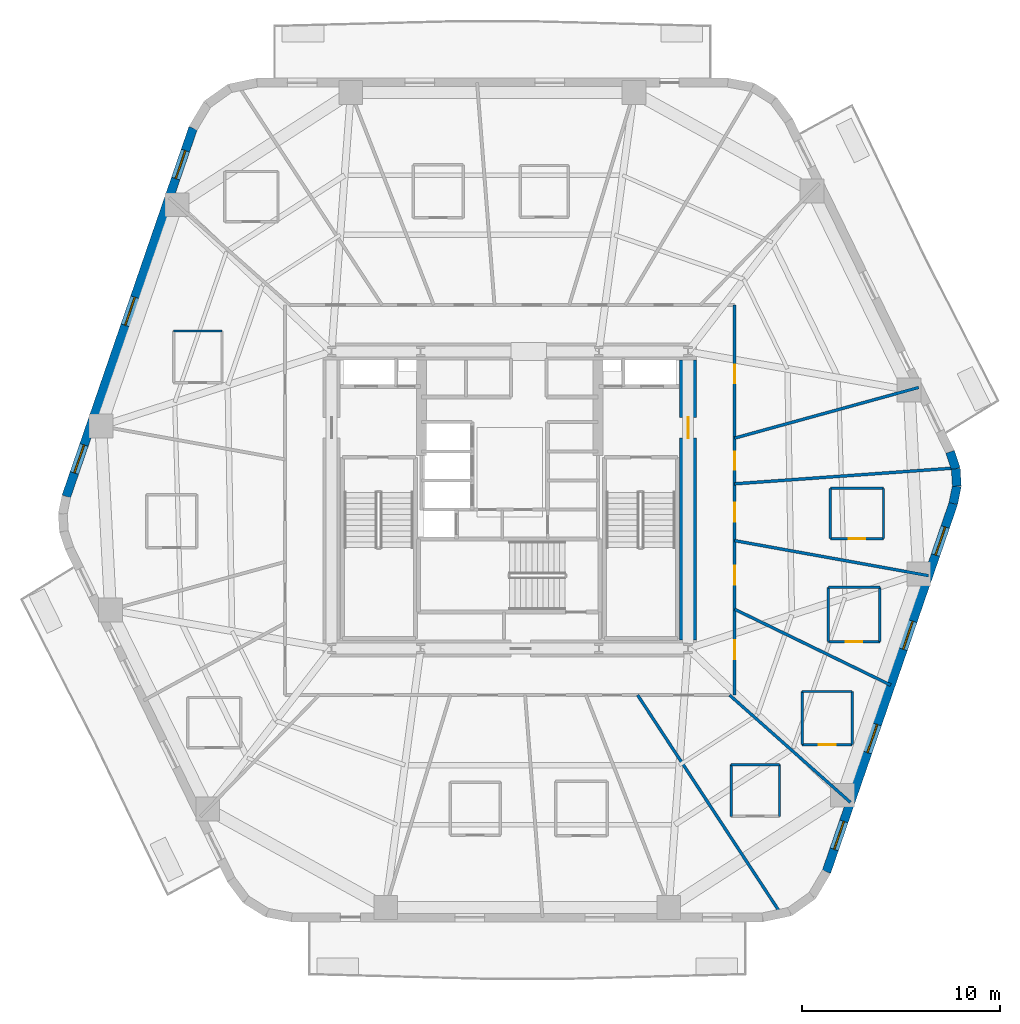
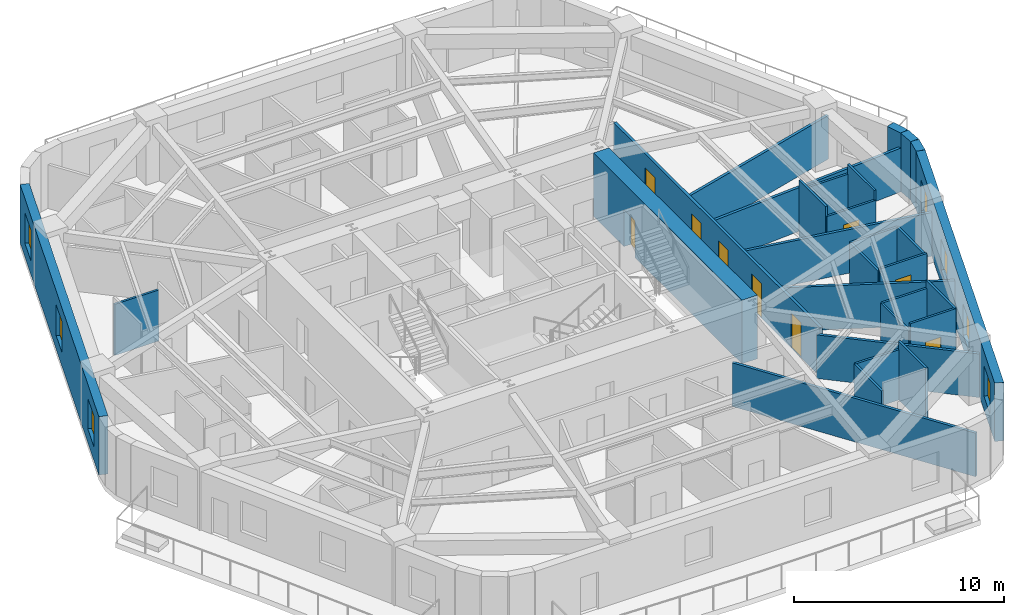
# One storey, part 5 of 10: 29 walls, 9 doors, 7 windows, 16 openings.
"""IFC4 building model written with IfcOpenShell, lengths in metres."""

from ifc_helpers import new_model, si_unit, direction, frame, frame_2d, origin, place, context, subcontext, project, spatial, rectangle, extrude, material, layer, layer_set, type_object, element, fill, save


model = new_model("IFC4")

# Units and contexts
model_context = context("Model", 3, precision=1e-05, world=origin(), true_north=direction((0.0, 1.0)))
body_context = subcontext(model_context, "Body", "Model", "MODEL_VIEW")
ifc_project = project(units=[si_unit("LENGTHUNIT", "METRE"), si_unit("AREAUNIT", "SQUARE_METRE"), si_unit("VOLUMEUNIT", "CUBIC_METRE"), si_unit("PLANEANGLEUNIT", "RADIAN"), si_unit("MASSUNIT", "GRAM", prefix="KILO")], contexts=[model_context])

# Site, building, storey
site_placement = place(None, origin())
site = spatial("IfcSite", under=ifc_project, at=site_placement, CompositionType="ELEMENT")
building_placement = place(site_placement, origin())
building = spatial("IfcBuilding", under=site, at=building_placement, Name="Kilnhurst Terrace Hotel", CompositionType="ELEMENT")
storey_placement = place(building_placement, frame((0.0, 0.0, 91.39990234375)))
storey = spatial("IfcBuildingStorey", under=building, at=storey_placement, Name="L21", CompositionType="ELEMENT", Elevation=91.39990234375)

# Walls
ifc_material_1 = material(Name="Precast concrete C40/50", Category="concrete")
ifc_layer_1 = layer(ifc_material_1, 0.449951171875, Name="Precast concrete C40/50")
ifc_layer_set_1 = layer_set([ifc_layer_1], Name="Precast concrete C40/50")
wall_type_1 = type_object("IfcWallType", Name="WL-BRK-450", PredefinedType="SOLIDWALL", material=ifc_layer_set_1)
wall_1_placement = place(storey_placement, frame((22.39697265625, -0.17919921875, 0.0), z_axis=(0.0, 0.0, 1.0), x_axis=(0.199313589404, 0.979935759669, 0.0)))
element("IfcWall", 1, at=wall_1_placement, inside=storey, type_object=wall_type_1, Name="L21 Rounded Corner Brick Wall C3.1", PredefinedType="SOLIDWALL", context=body_context, shape_type="SweptSolid", body=[
    extrude(rectangle(XDim=0.8955078125, YDim=0.449951171875, at=frame_2d((0.44775390625, 0.0))), origin(), (0.0, 0.0, 1.0), 3.400146484375),
])
wall_2_placement = place(storey_placement, frame((22.575439453125, 0.6982421875, 0.0), z_axis=(0.0, 0.0, 1.0), x_axis=(-0.060980441946, 0.998138961117, 0.0)))
element("IfcWall", 2, at=wall_2_placement, inside=storey, type_object=wall_type_1, Name="L21 Rounded Corner Brick Wall C3.2", PredefinedType="SOLIDWALL", context=body_context, shape_type="SweptSolid", body=[
    extrude(rectangle(XDim=0.880859375, YDim=0.449951171875, at=frame_2d((0.4404296875, 0.0))), origin(), (0.0, 0.0, 1.0), 3.400146484375),
])
wall_3_placement = place(storey_placement, frame((22.521728515625, 1.577392578125, 0.0), z_axis=(0.0, 0.0, 1.0), x_axis=(-0.317372694837, 0.948300887151, 0.0)))
element("IfcWall", 3, at=wall_3_placement, inside=storey, type_object=wall_type_1, Name="L21 Rounded Corner Brick Wall C3.3", PredefinedType="SOLIDWALL", context=body_context, shape_type="SweptSolid", body=[
    extrude(rectangle(XDim=0.8955078125, YDim=0.449951171875, at=frame_2d((0.44775390625, 0.0))), origin(), (0.0, 0.0, 1.0), 3.400146484375),
])

# Wall, openings, windows
wall_4_placement = place(storey_placement, frame((15.992431640625, -18.77685546875, 0.0), z_axis=(0.0, 0.0, 1.0), x_axis=(0.325606988926, 0.945505202927, 0.0)))
wall_4 = element("IfcWall", 4, at=wall_4_placement, inside=storey, type_object=wall_type_1, Name="L21 Exterior Brick Facade Wall F2", PredefinedType="SOLIDWALL", context=body_context, shape_type="SweptSolid", body=[
    extrude(rectangle(XDim=19.66943359375, YDim=0.449951171875, at=frame_2d((9.834716796875, 0.0))), origin(), (0.0, 0.0, 1.0), 3.400146484375),
])
opening_1_placement = place(wall_4_placement, frame((1.197021484375, 0.0, 0.800048828125)))
opening_1 = element("IfcOpeningElement", 5, at=opening_1_placement, cuts=wall_4, Name="Opening W-02", PredefinedType="OPENING", context=body_context, shape_type="SweptSolid", body=[
    extrude(rectangle(XDim=1.5, YDim=1.800048828125, at=frame_2d((0.75, 0.89990234375))), frame((0.0, 0.23486328125, 0.0), z_axis=(0.0, -1.0, 0.0), x_axis=(1.0, 0.0, 0.0)), (0.0, 0.0, 1.0), 0.469970703125),
])
opening_2_placement = place(wall_4_placement, frame((6.367919921875, 0.0, 0.800048828125)))
opening_2 = element("IfcOpeningElement", 6, at=opening_2_placement, cuts=wall_4, Name="Opening W-02", PredefinedType="OPENING", context=body_context, shape_type="SweptSolid", body=[
    extrude(rectangle(XDim=1.5, YDim=1.800048828125, at=frame_2d((0.75, 0.89990234375))), frame((0.0, 0.23486328125, 0.0), z_axis=(0.0, -1.0, 0.0), x_axis=(1.0, 0.0, 0.0)), (0.0, 0.0, 1.0), 0.469970703125),
])
opening_3_placement = place(wall_4_placement, frame((11.885009765625, 0.0, 0.800048828125)))
opening_3 = element("IfcOpeningElement", 7, at=opening_3_placement, cuts=wall_4, Name="Opening W-02", PredefinedType="OPENING", context=body_context, shape_type="SweptSolid", body=[
    extrude(rectangle(XDim=1.5, YDim=1.800048828125, at=frame_2d((0.75, 0.89990234375))), frame((0.0, 0.23486328125, 0.0), z_axis=(0.0, -1.0, 0.0), x_axis=(1.0, 0.0, 0.0)), (0.0, 0.0, 1.0), 0.469970703125),
])
opening_4_placement = place(wall_4_placement, frame((16.91796875, 0.0, 0.800048828125)))
opening_4 = element("IfcOpeningElement", 8, at=opening_4_placement, cuts=wall_4, Name="Opening W-02", PredefinedType="OPENING", context=body_context, shape_type="SweptSolid", body=[
    extrude(rectangle(XDim=1.5, YDim=1.800048828125, at=frame_2d((0.75, 0.89990234375))), frame((0.0, 0.23486328125, 0.0), z_axis=(0.0, -1.0, 0.0), x_axis=(1.0, 0.0, 0.0)), (0.0, 0.0, 1.0), 0.469970703125),
])
ifc_material_2 = material(Name="Thermally Broken Bronze Aluminium Alloy 6063-T6 and Low-E Glass", Category="aluminium")
window_type = type_object("IfcWindowType", Name="WIN-1500X1800", PartitioningType="SINGLE_PANEL", PredefinedType="WINDOW", material=ifc_material_2)
window_1_placement = place(opening_1_placement, origin())
window_1 = element("IfcWindow", 9, at=window_1_placement, inside=storey, type_object=window_type, Name="L21 Deep-Set Masonry Window F2.1", OverallHeight=1.800048828125, OverallWidth=1.5, PartitioningType="SINGLE_PANEL", PredefinedType="WINDOW", context=body_context, shape_type="SweptSolid", body=[
    extrude(rectangle(XDim=1.5, YDim=1.800048828125, at=frame_2d((0.75, 0.89990234375))), frame((0.0, 0.030029296875, 0.0), z_axis=(0.0, -1.0, 0.0), x_axis=(1.0, 0.0, 0.0)), (0.0, 0.0, 1.0), 0.06005859375),
])
fill(opening_1, window_1)
window_2_placement = place(opening_2_placement, origin())
window_2 = element("IfcWindow", 10, at=window_2_placement, inside=storey, type_object=window_type, Name="L21 Deep-Set Masonry Window F2.2", OverallHeight=1.800048828125, OverallWidth=1.5, PartitioningType="SINGLE_PANEL", PredefinedType="WINDOW", context=body_context, shape_type="SweptSolid", body=[
    extrude(rectangle(XDim=1.5, YDim=1.800048828125, at=frame_2d((0.75, 0.89990234375))), frame((0.0, 0.030029296875, 0.0), z_axis=(0.0, -1.0, 0.0), x_axis=(1.0, 0.0, 0.0)), (0.0, 0.0, 1.0), 0.06005859375),
])
fill(opening_2, window_2)
window_3_placement = place(opening_3_placement, origin())
window_3 = element("IfcWindow", 11, at=window_3_placement, inside=storey, type_object=window_type, Name="L21 Deep-Set Masonry Window F2.3", OverallHeight=1.800048828125, OverallWidth=1.5, PartitioningType="SINGLE_PANEL", PredefinedType="WINDOW", context=body_context, shape_type="SweptSolid", body=[
    extrude(rectangle(XDim=1.5, YDim=1.800048828125, at=frame_2d((0.75, 0.89990234375))), frame((0.0, 0.030029296875, 0.0), z_axis=(0.0, -1.0, 0.0), x_axis=(1.0, 0.0, 0.0)), (0.0, 0.0, 1.0), 0.06005859375),
])
fill(opening_3, window_3)
window_4_placement = place(opening_4_placement, origin())
window_4 = element("IfcWindow", 12, at=window_4_placement, inside=storey, type_object=window_type, Name="L21 Deep-Set Masonry Window F2.4", OverallHeight=1.800048828125, OverallWidth=1.5, PartitioningType="SINGLE_PANEL", PredefinedType="WINDOW", context=body_context, shape_type="SweptSolid", body=[
    extrude(rectangle(XDim=1.5, YDim=1.800048828125, at=frame_2d((0.75, 0.89990234375))), frame((0.0, 0.030029296875, 0.0), z_axis=(0.0, -1.0, 0.0), x_axis=(1.0, 0.0, 0.0)), (0.0, 0.0, 1.0), 0.06005859375),
])
fill(opening_4, window_4)

wall_5_placement = place(storey_placement, frame((-15.992431640625, 18.77685546875, 0.0), z_axis=(0.0, 0.0, 1.0), x_axis=(-0.325606988926, -0.945505202927, 0.0)))
wall_5 = element("IfcWall", 13, at=wall_5_placement, inside=storey, type_object=wall_type_1, Name="L21 Exterior Brick Facade Wall F5", PredefinedType="SOLIDWALL", context=body_context, shape_type="SweptSolid", body=[
    extrude(rectangle(XDim=19.66943359375, YDim=0.449951171875, at=frame_2d((9.834716796875, 0.0))), origin(), (0.0, 0.0, 1.0), 3.400146484375),
])
opening_5_placement = place(wall_5_placement, frame((1.197021484375, 0.0, 0.800048828125)))
opening_5 = element("IfcOpeningElement", 14, at=opening_5_placement, cuts=wall_5, Name="Opening W-02", PredefinedType="OPENING", context=body_context, shape_type="SweptSolid", body=[
    extrude(rectangle(XDim=1.5, YDim=1.800048828125, at=frame_2d((0.75, 0.89990234375))), frame((0.0, 0.23486328125, 0.0), z_axis=(0.0, -1.0, 0.0), x_axis=(1.0, 0.0, 0.0)), (0.0, 0.0, 1.0), 0.469970703125),
])
opening_6_placement = place(wall_5_placement, frame((9.030029296875, 0.0, 0.800048828125)))
opening_6 = element("IfcOpeningElement", 15, at=opening_6_placement, cuts=wall_5, Name="Opening W-02", PredefinedType="OPENING", context=body_context, shape_type="SweptSolid", body=[
    extrude(rectangle(XDim=1.5, YDim=1.800048828125, at=frame_2d((0.75, 0.89990234375))), frame((0.0, 0.23486328125, 0.0), z_axis=(0.0, -1.0, 0.0), x_axis=(1.0, 0.0, 0.0)), (0.0, 0.0, 1.0), 0.469970703125),
])
opening_7_placement = place(wall_5_placement, frame((16.91796875, 0.0, 0.800048828125)))
opening_7 = element("IfcOpeningElement", 16, at=opening_7_placement, cuts=wall_5, Name="Opening W-02", PredefinedType="OPENING", context=body_context, shape_type="SweptSolid", body=[
    extrude(rectangle(XDim=1.5, YDim=1.800048828125, at=frame_2d((0.75, 0.89990234375))), frame((0.0, 0.23486328125, 0.0), z_axis=(0.0, -1.0, 0.0), x_axis=(1.0, 0.0, 0.0)), (0.0, 0.0, 1.0), 0.469970703125),
])
window_5_placement = place(opening_5_placement, origin())
window_5 = element("IfcWindow", 17, at=window_5_placement, inside=storey, type_object=window_type, Name="L21 Deep-Set Masonry Window F5.1", OverallHeight=1.800048828125, OverallWidth=1.5, PartitioningType="SINGLE_PANEL", PredefinedType="WINDOW", context=body_context, shape_type="SweptSolid", body=[
    extrude(rectangle(XDim=1.5, YDim=1.800048828125, at=frame_2d((0.75, 0.89990234375))), frame((0.0, 0.030029296875, 0.0), z_axis=(0.0, -1.0, 0.0), x_axis=(1.0, 0.0, 0.0)), (0.0, 0.0, 1.0), 0.06005859375),
])
fill(opening_5, window_5)
window_6_placement = place(opening_6_placement, origin())
window_6 = element("IfcWindow", 18, at=window_6_placement, inside=storey, type_object=window_type, Name="L21 Deep-Set Masonry Window F5.2", OverallHeight=1.800048828125, OverallWidth=1.5, PartitioningType="SINGLE_PANEL", PredefinedType="WINDOW", context=body_context, shape_type="SweptSolid", body=[
    extrude(rectangle(XDim=1.5, YDim=1.800048828125, at=frame_2d((0.75, 0.89990234375))), frame((0.0, 0.030029296875, 0.0), z_axis=(0.0, -1.0, 0.0), x_axis=(1.0, 0.0, 0.0)), (0.0, 0.0, 1.0), 0.06005859375),
])
fill(opening_6, window_6)
window_7_placement = place(opening_7_placement, origin())
window_7 = element("IfcWindow", 19, at=window_7_placement, inside=storey, type_object=window_type, Name="L21 Deep-Set Masonry Window F5.3", OverallHeight=1.800048828125, OverallWidth=1.5, PartitioningType="SINGLE_PANEL", PredefinedType="WINDOW", context=body_context, shape_type="SweptSolid", body=[
    extrude(rectangle(XDim=1.5, YDim=1.800048828125, at=frame_2d((0.75, 0.89990234375))), frame((0.0, 0.030029296875, 0.0), z_axis=(0.0, -1.0, 0.0), x_axis=(1.0, 0.0, 0.0)), (0.0, 0.0, 1.0), 0.06005859375),
])
fill(opening_7, window_7)

# Wall, openings, doors
ifc_material_3 = material(Name="Acoustic Double-Gypsum Corridor Partition Assembly")
ifc_layer_2 = layer(ifc_material_3, 0.14990234375, Name="Acoustic Double-Gypsum Corridor Partition Assembly")
ifc_layer_set_2 = layer_set([ifc_layer_2], Name="Acoustic Double-Gypsum Corridor Partition Assembly")
wall_type_2 = type_object("IfcWallType", Name="WL-COR-150", PredefinedType="PARTITIONING", material=ifc_layer_set_2)
wall_6_placement = place(storey_placement, frame((11.35009765625, 9.85009765625, 0.0), z_axis=(0.0, 0.0, 1.0), x_axis=(0.0, -1.0, 0.0)))
wall_6 = element("IfcWall", 20, at=wall_6_placement, inside=storey, type_object=wall_type_2, Name="L21 Interior Wall WL-L21-COR-03", PredefinedType="PARTITIONING", context=body_context, shape_type="SweptSolid", body=[
    extrude(rectangle(XDim=19.7001953125, YDim=0.14990234375, at=frame_2d((9.85009765625, 0.0))), origin(), (0.0, 0.0, 1.0), 2.840087890625),
])
opening_8_placement = place(wall_6_placement, frame((7.426025390625, 0.0, 0.0)))
opening_8 = element("IfcOpeningElement", 21, at=opening_8_placement, cuts=wall_6, Name="Opening D-60C", PredefinedType="OPENING", context=body_context, shape_type="SweptSolid", body=[
    extrude(rectangle(XDim=0.89990234375, YDim=2.030029296875, at=frame_2d((0.449951171875, 1.01513671875))), frame((0.0, 0.0849609375, 0.0), z_axis=(0.0, -1.0, 0.0), x_axis=(1.0, 0.0, 0.0)), (0.0, 0.0, 1.0), 0.169921875),
])
opening_9_placement = place(wall_6_placement, frame((3.008056640625, 0.0, 0.0)))
opening_9 = element("IfcOpeningElement", 22, at=opening_9_placement, cuts=wall_6, Name="Opening D-60B", PredefinedType="OPENING", context=body_context, shape_type="SweptSolid", body=[
    extrude(rectangle(XDim=0.949951171875, YDim=2.030029296875, at=frame_2d((0.47509765625, 1.01513671875))), frame((0.0, 0.0849609375, 0.0), z_axis=(0.0, -1.0, 0.0), x_axis=(1.0, 0.0, 0.0)), (0.0, 0.0, 1.0), 0.169921875),
])
opening_10_placement = place(wall_6_placement, frame((16.93798828125, 0.0, 0.0)))
opening_10 = element("IfcOpeningElement", 23, at=opening_10_placement, cuts=wall_6, Name="Opening D-60B", PredefinedType="OPENING", context=body_context, shape_type="SweptSolid", body=[
    extrude(rectangle(XDim=0.949951171875, YDim=2.030029296875, at=frame_2d((0.47509765625, 1.01513671875))), frame((0.0, 0.0849609375, 0.0), z_axis=(0.0, -1.0, 0.0), x_axis=(1.0, 0.0, 0.0)), (0.0, 0.0, 1.0), 0.169921875),
])
opening_11_placement = place(wall_6_placement, frame((13.1708984375, 0.0, 0.0)))
opening_11 = element("IfcOpeningElement", 24, at=opening_11_placement, cuts=wall_6, Name="Opening D-60B", PredefinedType="OPENING", context=body_context, shape_type="SweptSolid", body=[
    extrude(rectangle(XDim=0.949951171875, YDim=2.030029296875, at=frame_2d((0.47509765625, 1.01513671875))), frame((0.0, 0.0849609375, 0.0), z_axis=(0.0, -1.0, 0.0), x_axis=(1.0, 0.0, 0.0)), (0.0, 0.0, 1.0), 0.169921875),
])
opening_12_placement = place(wall_6_placement, frame((9.993896484375, 0.0, 0.0)))
opening_12 = element("IfcOpeningElement", 25, at=opening_12_placement, cuts=wall_6, Name="Opening D-60B", PredefinedType="OPENING", context=body_context, shape_type="SweptSolid", body=[
    extrude(rectangle(XDim=0.949951171875, YDim=2.030029296875, at=frame_2d((0.47509765625, 1.01513671875))), frame((0.0, 0.0849609375, 0.0), z_axis=(0.0, -1.0, 0.0), x_axis=(1.0, 0.0, 0.0)), (0.0, 0.0, 1.0), 0.169921875),
])
ifc_material_4 = material(Name="Painted Solid-Core Service Fire Door")
door_type_1 = type_object("IfcDoorType", Name="DR-FD60-900", OperationType="NOTDEFINED", PredefinedType="DOOR", material=ifc_material_4)
door_1_placement = place(opening_8_placement, origin())
door_1 = element("IfcDoor", 26, at=door_1_placement, inside=storey, type_object=door_type_1, Name="L21 Private Study Salon Door 1", OperationType="SINGLE_SWING_LEFT", OverallHeight=2.030029296875, OverallWidth=0.89990234375, PredefinedType="DOOR", context=body_context, shape_type="SweptSolid", body=[
    extrude(rectangle(XDim=0.89990234375, YDim=2.030029296875, at=frame_2d((0.449951171875, 1.01513671875))), frame((0.0, 0.02490234375, 0.0), z_axis=(0.0, -1.0, 0.0), x_axis=(1.0, 0.0, 0.0)), (0.0, 0.0, 1.0), 0.050048828125),
])
fill(opening_8, door_1)
ifc_material_5 = material(Name="Acoustic Walnut Veneer Solid-Core Fire Door")
door_type_2 = type_object("IfcDoorType", Name="DR-FD60-950", OperationType="NOTDEFINED", PredefinedType="DOOR", material=ifc_material_5)
door_2_placement = place(opening_9_placement, origin())
door_2 = element("IfcDoor", 27, at=door_2_placement, inside=storey, type_object=door_type_2, Name="L21 Botanical Salon Lounge Door", OperationType="SINGLE_SWING_RIGHT", OverallHeight=2.030029296875, OverallWidth=0.949951171875, PredefinedType="DOOR", context=body_context, shape_type="SweptSolid", body=[
    extrude(rectangle(XDim=0.949951171875, YDim=2.030029296875, at=frame_2d((0.47509765625, 1.01513671875))), frame((0.0, 0.02490234375, 0.0), z_axis=(0.0, -1.0, 0.0), x_axis=(1.0, 0.0, 0.0)), (0.0, 0.0, 1.0), 0.050048828125),
])
fill(opening_9, door_2)
door_3_placement = place(opening_10_placement, origin())
door_3 = element("IfcDoor", 28, at=door_3_placement, inside=storey, type_object=door_type_2, Name="L21 Guest Room Entry Door 18", OperationType="SINGLE_SWING_RIGHT", OverallHeight=2.030029296875, OverallWidth=0.949951171875, PredefinedType="DOOR", context=body_context, shape_type="SweptSolid", body=[
    extrude(rectangle(XDim=0.949951171875, YDim=2.030029296875, at=frame_2d((0.47509765625, 1.01513671875))), frame((0.0, 0.02490234375, 0.0), z_axis=(0.0, -1.0, 0.0), x_axis=(1.0, 0.0, 0.0)), (0.0, 0.0, 1.0), 0.050048828125),
])
fill(opening_10, door_3)
door_4_placement = place(opening_11_placement, origin())
door_4 = element("IfcDoor", 29, at=door_4_placement, inside=storey, type_object=door_type_2, Name="L21 Guest Room Entry Door 19", OperationType="SINGLE_SWING_LEFT", OverallHeight=2.030029296875, OverallWidth=0.949951171875, PredefinedType="DOOR", context=body_context, shape_type="SweptSolid", body=[
    extrude(rectangle(XDim=0.949951171875, YDim=2.030029296875, at=frame_2d((0.47509765625, 1.01513671875))), frame((0.0, 0.02490234375, 0.0), z_axis=(0.0, -1.0, 0.0), x_axis=(1.0, 0.0, 0.0)), (0.0, 0.0, 1.0), 0.050048828125),
])
fill(opening_11, door_4)
door_5_placement = place(opening_12_placement, origin())
door_5 = element("IfcDoor", 30, at=door_5_placement, inside=storey, type_object=door_type_2, Name="L21 Guest Room Entry Door 20", OperationType="SINGLE_SWING_RIGHT", OverallHeight=2.030029296875, OverallWidth=0.949951171875, PredefinedType="DOOR", context=body_context, shape_type="SweptSolid", body=[
    extrude(rectangle(XDim=0.949951171875, YDim=2.030029296875, at=frame_2d((0.47509765625, 1.01513671875))), frame((0.0, 0.02490234375, 0.0), z_axis=(0.0, -1.0, 0.0), x_axis=(1.0, 0.0, 0.0)), (0.0, 0.0, 1.0), 0.050048828125),
])
fill(opening_12, door_5)

# Wall, opening, door
ifc_material_6 = material(Name="Concrete C80/95", Category="concrete")
ifc_layer_3 = layer(ifc_material_6, 0.85009765625, Name="Concrete C80/95")
ifc_layer_set_3 = layer_set([ifc_layer_3], Name="Concrete C80/95")
wall_type_3 = type_object("IfcWallType", Name="WL-CORE-850", PredefinedType="SHEAR", material=ifc_layer_set_3)
wall_7_placement = place(storey_placement, frame((9.0, -7.074951171875, 0.0), z_axis=(0.0, 0.0, 1.0), x_axis=(0.0, 1.0, 0.0)))
wall_7 = element("IfcWall", 31, at=wall_7_placement, inside=storey, type_object=wall_type_3, Name="L21 Core East Shear Wall", PredefinedType="SHEAR", context=body_context, shape_type="SweptSolid", body=[
    extrude(rectangle(XDim=14.14990234375, YDim=0.85009765625, at=frame_2d((7.074951171875, 0.0))), origin(), (0.0, 0.0, 1.0), 3.7001953125),
])
opening_13_placement = place(wall_7_placement, frame((10.199951171875, 0.0, 0.0)))
opening_13 = element("IfcOpeningElement", 32, at=opening_13_placement, cuts=wall_7, Name="Opening D-90A", PredefinedType="OPENING", context=body_context, shape_type="SweptSolid", body=[
    extrude(rectangle(XDim=1.050048828125, YDim=2.14990234375, at=frame_2d((0.52490234375, 1.074951171875))), frame((0.0, 0.43505859375, 0.0), z_axis=(0.0, -1.0, 0.0), x_axis=(1.0, 0.0, 0.0)), (0.0, 0.0, 1.0), 0.8701171875),
])
ifc_material_7 = material(Name="Painted Hollow Metal Steel ASTM A36 Fire Door", Category="steel")
door_type_3 = type_object("IfcDoorType", Name="DR-FD90-1050", OperationType="NOTDEFINED", PredefinedType="DOOR", material=ifc_material_7)
door_6_placement = place(opening_13_placement, origin())
door_6 = element("IfcDoor", 33, at=door_6_placement, inside=storey, type_object=door_type_3, Name="L21 East Firefighting Lobby Door", OperationType="SINGLE_SWING_LEFT", OverallHeight=2.14990234375, OverallWidth=1.050048828125, PredefinedType="DOOR", context=body_context, shape_type="SweptSolid", body=[
    extrude(rectangle(XDim=1.050048828125, YDim=2.14990234375, at=frame_2d((0.52490234375, 1.074951171875))), frame((0.0, 0.02490234375, 0.0), z_axis=(0.0, -1.0, 0.0), x_axis=(1.0, 0.0, 0.0)), (0.0, 0.0, 1.0), 0.050048828125),
])
fill(opening_13, door_6)

# Walls
ifc_material_8 = material(Name="STC-58 Acoustic Twin-Frame Guestroom Demising Partition")
ifc_layer_4 = layer(ifc_material_8, 0.14990234375, Name="STC-58 Acoustic Twin-Frame Guestroom Demising Partition")
ifc_layer_set_4 = layer_set([ifc_layer_4], Name="STC-58 Acoustic Twin-Frame Guestroom Demising Partition")
wall_type_4 = type_object("IfcWallType", Name="WL-DEM-150", PredefinedType="PARTITIONING", material=ifc_layer_set_4)
wall_8_placement = place(storey_placement, frame((11.35009765625, 0.815673828125, 0.0), z_axis=(0.0, 0.0, 1.0), x_axis=(0.997427684746, 0.071679939324, 0.0)))
element("IfcWall", 34, at=wall_8_placement, inside=storey, type_object=wall_type_4, Name="L21 Interior Wall WL-L21-DEM-MID12-01-1", PredefinedType="PARTITIONING", context=body_context, shape_type="SweptSolid", body=[
    extrude(rectangle(XDim=11.021728515625, YDim=0.14990234375, at=frame_2d((5.5107421875, 0.0))), origin(), (0.0, 0.0, 1.0), 2.5400390625),
])
wall_9_placement = place(storey_placement, frame((11.35009765625, 3.123291015625, 0.0), z_axis=(0.0, 0.0, 1.0), x_axis=(0.964151983214, 0.265350623261, 0.0)))
element("IfcWall", 35, at=wall_9_placement, inside=storey, type_object=wall_type_4, Name="L21 Interior Wall WL-L21-DEM-COL01-02-1", PredefinedType="PARTITIONING", context=body_context, shape_type="SweptSolid", body=[
    extrude(rectangle(XDim=9.64501953125, YDim=0.14990234375, at=frame_2d((4.822509765625, 0.0))), origin(), (0.0, 0.0, 1.0), 2.5400390625),
])
wall_10_placement = place(storey_placement, frame((6.453857421875, -9.85009765625, 0.0), z_axis=(0.0, 0.0, 1.0), x_axis=(0.548052950111, -0.836443640584, 0.0)))
element("IfcWall", 36, at=wall_10_placement, inside=storey, type_object=wall_type_4, Name="L21 Interior Wall WL-L21-DEM-MID10-17-1", PredefinedType="PARTITIONING", context=body_context, shape_type="SweptSolid", body=[
    extrude(rectangle(XDim=13.019287109375, YDim=0.14990234375, at=frame_2d((6.509765625, 0.0))), origin(), (0.0, 0.0, 1.0), 2.5400390625),
])
wall_11_placement = place(storey_placement, frame((11.097900390625, -9.85009765625, 0.0), z_axis=(0.0, 0.0, 1.0), x_axis=(0.747904295103, -0.663806572253, 0.0)))
element("IfcWall", 37, at=wall_11_placement, inside=storey, type_object=wall_type_4, Name="L21 Interior Wall WL-L21-DEM-COL11-18-1", PredefinedType="PARTITIONING", context=body_context, shape_type="SweptSolid", body=[
    extrude(rectangle(XDim=8.160400390625, YDim=0.14990234375, at=frame_2d((4.080078125, 0.0))), origin(), (0.0, 0.0, 1.0), 2.5400390625),
])
wall_12_placement = place(storey_placement, frame((11.35009765625, -5.51513671875, 0.0), z_axis=(0.0, 0.0, 1.0), x_axis=(0.899424695618, -0.437075756492, 0.0)))
element("IfcWall", 38, at=wall_12_placement, inside=storey, type_object=wall_type_4, Name="L21 Interior Wall WL-L21-DEM-MID11-19-1", PredefinedType="PARTITIONING", context=body_context, shape_type="SweptSolid", body=[
    extrude(rectangle(XDim=8.771240234375, YDim=0.14990234375, at=frame_2d((4.3857421875, 0.0))), origin(), (0.0, 0.0, 1.0), 2.5400390625),
])
wall_13_placement = place(storey_placement, frame((11.35009765625, -2.05078125, 0.0), z_axis=(0.0, 0.0, 1.0), x_axis=(0.984068313063, -0.177790762484, 0.0)))
element("IfcWall", 39, at=wall_13_placement, inside=storey, type_object=wall_type_4, Name="L21 Interior Wall WL-L21-DEM-COL12-20-1", PredefinedType="PARTITIONING", context=body_context, shape_type="SweptSolid", body=[
    extrude(rectangle(XDim=9.951416015625, YDim=0.14990234375, at=frame_2d((4.9755859375, 0.0))), origin(), (0.0, 0.0, 1.0), 2.5400390625),
])
ifc_material_9 = material(Name="120 mm Moisture-Resistant Tile-Backed Bathroom Partition")
ifc_layer_5 = layer(ifc_material_9, 0.1201171875, Name="120 mm Moisture-Resistant Tile-Backed Bathroom Partition")
ifc_layer_set_5 = layer_set([ifc_layer_5], Name="120 mm Moisture-Resistant Tile-Backed Bathroom Partition")
wall_type_5 = type_object("IfcWallType", Name="WL-PART-120", PredefinedType="PARTITIONING", material=ifc_layer_set_5)
wall_14_placement = place(storey_placement, frame((-14.533935546875, 8.534912109375, 0.0), z_axis=(0.0, 0.0, 1.0), x_axis=(-1.0, 0.0, 0.0)))
element("IfcWall", 40, at=wall_14_placement, inside=storey, type_object=wall_type_5, Name="L21 Interior Wall WL-L21-BTH-09-3", PredefinedType="PARTITIONING", context=body_context, shape_type="SweptSolid", body=[
    extrude(rectangle(XDim=2.440185546875, YDim=0.1201171875, at=frame_2d((1.22021484375, 0.0))), origin(), (0.0, 0.0, 1.0), 2.972412109375),
])
wall_15_placement = place(storey_placement, frame((13.617919921875, -15.97412109375, 0.0), z_axis=(0.0, 0.0, 1.0), x_axis=(0.0, 1.0, 0.0)))
element("IfcWall", 41, at=wall_15_placement, inside=storey, type_object=wall_type_5, Name="L21 Interior Wall WL-L21-BTH-17-2", PredefinedType="PARTITIONING", context=body_context, shape_type="SweptSolid", body=[
    extrude(rectangle(XDim=2.610107421875, YDim=0.1201171875, at=frame_2d((1.30517578125, 0.0))), origin(), (0.0, 0.0, 1.0), 3.400146484375),
])
wall_16_placement = place(storey_placement, frame((13.617919921875, -13.364013671875, 0.0), z_axis=(0.0, 0.0, 1.0), x_axis=(-1.0, 0.0, 0.0)))
element("IfcWall", 42, at=wall_16_placement, inside=storey, type_object=wall_type_5, Name="L21 Interior Wall WL-L21-BTH-17-3", PredefinedType="PARTITIONING", context=body_context, shape_type="SweptSolid", body=[
    extrude(rectangle(XDim=2.43994140625, YDim=0.1201171875, at=frame_2d((1.219970703125, 0.0))), origin(), (0.0, 0.0, 1.0), 2.926513671875),
])
wall_17_placement = place(storey_placement, frame((11.177978515625, -13.364013671875, 0.0), z_axis=(0.0, 0.0, 1.0), x_axis=(0.0, -1.0, 0.0)))
element("IfcWall", 43, at=wall_17_placement, inside=storey, type_object=wall_type_5, Name="L21 Interior Wall WL-L21-BTH-17-4", PredefinedType="PARTITIONING", context=body_context, shape_type="SweptSolid", body=[
    extrude(rectangle(XDim=2.610107421875, YDim=0.1201171875, at=frame_2d((1.30517578125, 0.0))), origin(), (0.0, 0.0, 1.0), 2.926513671875),
])

# Wall, opening, door
wall_18_placement = place(storey_placement, frame((14.76708984375, -12.35205078125, 0.0), z_axis=(0.0, 0.0, 1.0), x_axis=(1.0, 0.0, 0.0)))
wall_18 = element("IfcWall", 44, at=wall_18_placement, inside=storey, type_object=wall_type_5, Name="L21 Interior Wall WL-L21-BTH-18-1", PredefinedType="PARTITIONING", context=body_context, shape_type="SweptSolid", body=[
    extrude(rectangle(XDim=2.52001953125, YDim=0.1201171875, at=frame_2d((1.260009765625, 0.0))), origin(), (0.0, 0.0, 1.0), 3.400146484375),
])
opening_14_placement = place(wall_18_placement, frame((0.8349609375, 0.0, 0.0)))
opening_14 = element("IfcOpeningElement", 45, at=opening_14_placement, cuts=wall_18, Name="Opening D-08A", PredefinedType="OPENING", context=body_context, shape_type="SweptSolid", body=[
    extrude(rectangle(XDim=0.85009765625, YDim=2.030029296875, at=frame_2d((0.425048828125, 1.01513671875))), frame((0.0, 0.070068359375, 0.0), z_axis=(0.0, -1.0, 0.0), x_axis=(1.0, 0.0, 0.0)), (0.0, 0.0, 1.0), 0.14013671875),
])
ifc_material_10 = material(Name="Moisture-Resistant Lacquered En-suite Bathroom Door")
door_type_4 = type_object("IfcDoorType", Name="DR-INT-850", OperationType="NOTDEFINED", PredefinedType="DOOR", material=ifc_material_10)
door_7_placement = place(opening_14_placement, origin())
door_7 = element("IfcDoor", 46, at=door_7_placement, inside=storey, type_object=door_type_4, Name="L21 En-suite Bathroom Door 18", OperationType="SINGLE_SWING_LEFT", OverallHeight=2.030029296875, OverallWidth=0.85009765625, PredefinedType="DOOR", context=body_context, shape_type="SweptSolid", body=[
    extrude(rectangle(XDim=0.85009765625, YDim=2.030029296875, at=frame_2d((0.425048828125, 1.01513671875))), frame((0.0, 0.02490234375, 0.0), z_axis=(0.0, -1.0, 0.0), x_axis=(1.0, 0.0, 0.0)), (0.0, 0.0, 1.0), 0.050048828125),
])
fill(opening_14, door_7)

# Walls
wall_19_placement = place(storey_placement, frame((17.287109375, -12.35205078125, 0.0), z_axis=(0.0, 0.0, 1.0), x_axis=(0.0, 1.0, 0.0)))
element("IfcWall", 47, at=wall_19_placement, inside=storey, type_object=wall_type_5, Name="L21 Interior Wall WL-L21-BTH-18-2", PredefinedType="PARTITIONING", context=body_context, shape_type="SweptSolid", body=[
    extrude(rectangle(XDim=2.679931640625, YDim=0.1201171875, at=frame_2d((1.33984375, 0.0))), origin(), (0.0, 0.0, 1.0), 3.400146484375),
])
wall_20_placement = place(storey_placement, frame((17.287109375, -9.672119140625, 0.0), z_axis=(0.0, 0.0, 1.0), x_axis=(-1.0, 0.0, 0.0)))
element("IfcWall", 48, at=wall_20_placement, inside=storey, type_object=wall_type_5, Name="L21 Interior Wall WL-L21-BTH-18-3", PredefinedType="PARTITIONING", context=body_context, shape_type="SweptSolid", body=[
    extrude(rectangle(XDim=2.52001953125, YDim=0.1201171875, at=frame_2d((1.260009765625, 0.0))), origin(), (0.0, 0.0, 1.0), 2.972412109375),
])
wall_21_placement = place(storey_placement, frame((14.76708984375, -9.672119140625, 0.0), z_axis=(0.0, 0.0, 1.0), x_axis=(0.0, -1.0, 0.0)))
element("IfcWall", 49, at=wall_21_placement, inside=storey, type_object=wall_type_5, Name="L21 Interior Wall WL-L21-BTH-18-4", PredefinedType="PARTITIONING", context=body_context, shape_type="SweptSolid", body=[
    extrude(rectangle(XDim=2.679931640625, YDim=0.1201171875, at=frame_2d((1.33984375, 0.0))), origin(), (0.0, 0.0, 1.0), 2.972412109375),
])

# Wall, opening, door
wall_22_placement = place(storey_placement, frame((16.0869140625, -7.157958984375, 0.0), z_axis=(0.0, 0.0, 1.0), x_axis=(1.0, 0.0, 0.0)))
wall_22 = element("IfcWall", 50, at=wall_22_placement, inside=storey, type_object=wall_type_5, Name="L21 Interior Wall WL-L21-BTH-19-1", PredefinedType="PARTITIONING", context=body_context, shape_type="SweptSolid", body=[
    extrude(rectangle(XDim=2.60009765625, YDim=0.1201171875, at=frame_2d((1.300048828125, 0.0))), origin(), (0.0, 0.0, 1.0), 2.972412109375),
])
opening_15_placement = place(wall_22_placement, frame((0.875, 0.0, 0.0)))
opening_15 = element("IfcOpeningElement", 51, at=opening_15_placement, cuts=wall_22, Name="Opening D-08A", PredefinedType="OPENING", context=body_context, shape_type="SweptSolid", body=[
    extrude(rectangle(XDim=0.85009765625, YDim=2.030029296875, at=frame_2d((0.425048828125, 1.01513671875))), frame((0.0, 0.070068359375, 0.0), z_axis=(0.0, -1.0, 0.0), x_axis=(1.0, 0.0, 0.0)), (0.0, 0.0, 1.0), 0.14013671875),
])
door_8_placement = place(opening_15_placement, origin())
door_8 = element("IfcDoor", 52, at=door_8_placement, inside=storey, type_object=door_type_4, Name="L21 En-suite Bathroom Door 19", OperationType="SINGLE_SWING_RIGHT", OverallHeight=2.030029296875, OverallWidth=0.85009765625, PredefinedType="DOOR", context=body_context, shape_type="SweptSolid", body=[
    extrude(rectangle(XDim=0.85009765625, YDim=2.030029296875, at=frame_2d((0.425048828125, 1.01513671875))), frame((0.0, 0.02490234375, 0.0), z_axis=(0.0, -1.0, 0.0), x_axis=(1.0, 0.0, 0.0)), (0.0, 0.0, 1.0), 0.050048828125),
])
fill(opening_15, door_8)

# Walls
wall_23_placement = place(storey_placement, frame((18.68701171875, -7.157958984375, 0.0), z_axis=(0.0, 0.0, 1.0), x_axis=(0.0, 1.0, 0.0)))
element("IfcWall", 53, at=wall_23_placement, inside=storey, type_object=wall_type_5, Name="L21 Interior Wall WL-L21-BTH-19-2", PredefinedType="PARTITIONING", context=body_context, shape_type="SweptSolid", body=[
    extrude(rectangle(XDim=2.75, YDim=0.1201171875, at=frame_2d((1.375, 0.0))), origin(), (0.0, 0.0, 1.0), 2.840087890625),
])
wall_24_placement = place(storey_placement, frame((18.68701171875, -4.407958984375, 0.0), z_axis=(0.0, 0.0, 1.0), x_axis=(-1.0, 0.0, 0.0)))
element("IfcWall", 54, at=wall_24_placement, inside=storey, type_object=wall_type_5, Name="L21 Interior Wall WL-L21-BTH-19-3", PredefinedType="PARTITIONING", context=body_context, shape_type="SweptSolid", body=[
    extrude(rectangle(XDim=2.60009765625, YDim=0.1201171875, at=frame_2d((1.300048828125, 0.0))), origin(), (0.0, 0.0, 1.0), 2.840087890625),
])
wall_25_placement = place(storey_placement, frame((16.0869140625, -4.407958984375, 0.0), z_axis=(0.0, 0.0, 1.0), x_axis=(0.0, -1.0, 0.0)))
element("IfcWall", 55, at=wall_25_placement, inside=storey, type_object=wall_type_5, Name="L21 Interior Wall WL-L21-BTH-19-4", PredefinedType="PARTITIONING", context=body_context, shape_type="SweptSolid", body=[
    extrude(rectangle(XDim=2.75, YDim=0.1201171875, at=frame_2d((1.375, 0.0))), origin(), (0.0, 0.0, 1.0), 2.840087890625),
])

# Wall, opening, door
wall_26_placement = place(storey_placement, frame((16.19189453125, -1.950927734375, 0.0), z_axis=(0.0, 0.0, 1.0), x_axis=(1.0, 0.0, 0.0)))
wall_26 = element("IfcWall", 56, at=wall_26_placement, inside=storey, type_object=wall_type_5, Name="L21 Interior Wall WL-L21-BTH-20-1", PredefinedType="PARTITIONING", context=body_context, shape_type="SweptSolid", body=[
    extrude(rectangle(XDim=2.68017578125, YDim=0.1201171875, at=frame_2d((1.340087890625, 0.0))), origin(), (0.0, 0.0, 1.0), 2.840576171875),
])
opening_16_placement = place(wall_26_placement, frame((0.9150390625, 0.0, 0.0)))
opening_16 = element("IfcOpeningElement", 57, at=opening_16_placement, cuts=wall_26, Name="Opening D-08A", PredefinedType="OPENING", context=body_context, shape_type="SweptSolid", body=[
    extrude(rectangle(XDim=0.85009765625, YDim=2.030029296875, at=frame_2d((0.425048828125, 1.01513671875))), frame((0.0, 0.070068359375, 0.0), z_axis=(0.0, -1.0, 0.0), x_axis=(1.0, 0.0, 0.0)), (0.0, 0.0, 1.0), 0.14013671875),
])
door_9_placement = place(opening_16_placement, origin())
door_9 = element("IfcDoor", 58, at=door_9_placement, inside=storey, type_object=door_type_4, Name="L21 En-suite Bathroom Door 20", OperationType="SINGLE_SWING_LEFT", OverallHeight=2.030029296875, OverallWidth=0.85009765625, PredefinedType="DOOR", context=body_context, shape_type="SweptSolid", body=[
    extrude(rectangle(XDim=0.85009765625, YDim=2.030029296875, at=frame_2d((0.425048828125, 1.01513671875))), frame((0.0, 0.02490234375, 0.0), z_axis=(0.0, -1.0, 0.0), x_axis=(1.0, 0.0, 0.0)), (0.0, 0.0, 1.0), 0.050048828125),
])
fill(opening_16, door_9)

# Walls
wall_27_placement = place(storey_placement, frame((18.8720703125, -1.950927734375, 0.0), z_axis=(0.0, 0.0, 1.0), x_axis=(0.0, 1.0, 0.0)))
element("IfcWall", 59, at=wall_27_placement, inside=storey, type_object=wall_type_5, Name="L21 Interior Wall WL-L21-BTH-20-2", PredefinedType="PARTITIONING", context=body_context, shape_type="SweptSolid", body=[
    extrude(rectangle(XDim=2.5400390625, YDim=0.1201171875, at=frame_2d((1.27001953125, 0.0))), origin(), (0.0, 0.0, 1.0), 3.400146484375),
])
wall_28_placement = place(storey_placement, frame((18.8720703125, 0.589111328125, 0.0), z_axis=(0.0, 0.0, 1.0), x_axis=(-1.0, 0.0, 0.0)))
element("IfcWall", 60, at=wall_28_placement, inside=storey, type_object=wall_type_5, Name="L21 Interior Wall WL-L21-BTH-20-3", PredefinedType="PARTITIONING", context=body_context, shape_type="SweptSolid", body=[
    extrude(rectangle(XDim=2.68017578125, YDim=0.1201171875, at=frame_2d((1.340087890625, 0.0))), origin(), (0.0, 0.0, 1.0), 2.840576171875),
])
wall_29_placement = place(storey_placement, frame((16.19189453125, 0.589111328125, 0.0), z_axis=(0.0, 0.0, 1.0), x_axis=(0.0, -1.0, 0.0)))
element("IfcWall", 61, at=wall_29_placement, inside=storey, type_object=wall_type_5, Name="L21 Interior Wall WL-L21-BTH-20-4", PredefinedType="PARTITIONING", context=body_context, shape_type="SweptSolid", body=[
    extrude(rectangle(XDim=2.5400390625, YDim=0.1201171875, at=frame_2d((1.27001953125, 0.0))), origin(), (0.0, 0.0, 1.0), 3.400146484375),
])

save(model, "model.ifc")
